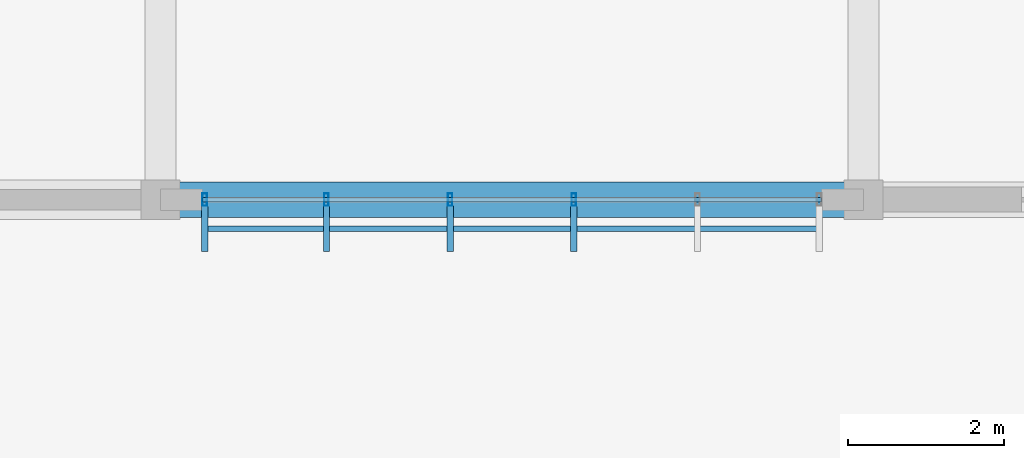
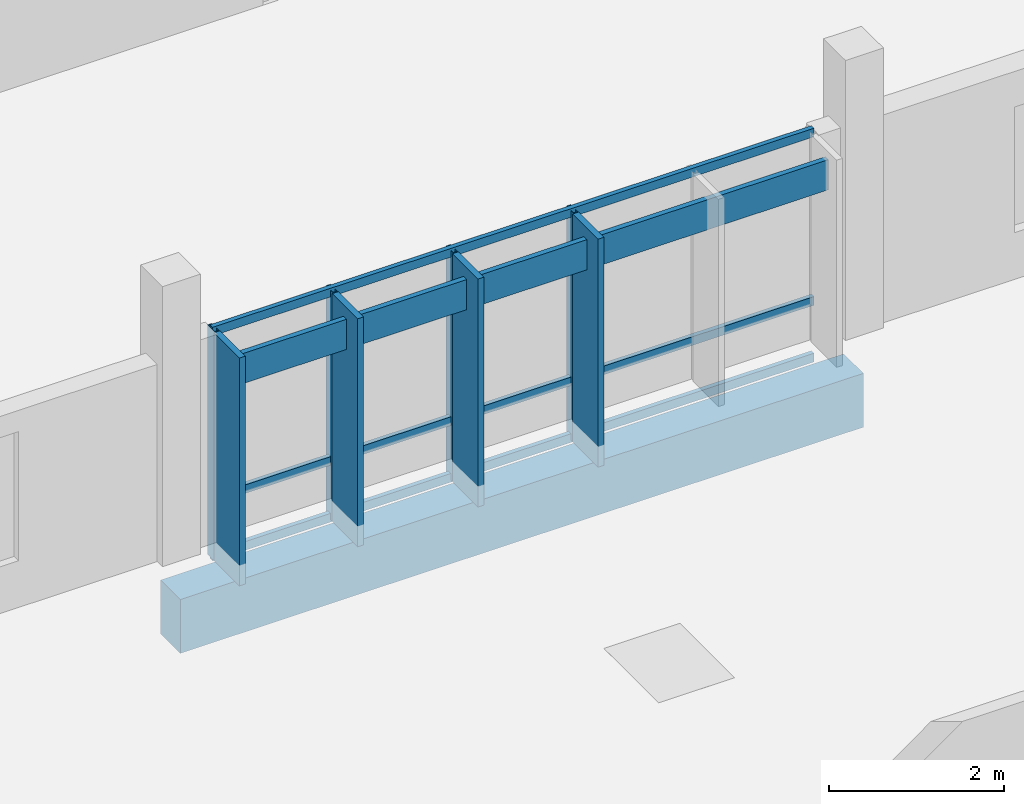
# One storey, part 45 of 107: 12 members, 1 beam, 1 element without a shape of its own.
"""IFC4 building model written with IfcOpenShell, lengths in metres."""

from ifc_helpers import new_model, si_unit, direction, frame, origin, origin_2d, place, context, subcontext, project, spatial, rectangle, hollow_rectangle, extrude, material, material_profile, profile_set, type_object, element, aggregate, save


model = new_model("IFC4")

# Units and contexts
model_context = context("Model", 3, precision=1e-05, world=origin(), true_north=direction((0.0, 1.0)))
body_context = subcontext(model_context, "Body", "Model", "MODEL_VIEW")
ifc_project = project(units=[si_unit("LENGTHUNIT", "METRE"), si_unit("AREAUNIT", "SQUARE_METRE"), si_unit("VOLUMEUNIT", "CUBIC_METRE"), si_unit("PLANEANGLEUNIT", "RADIAN"), si_unit("MASSUNIT", "GRAM", prefix="KILO")], contexts=[model_context])

# Site, building, storey
site_placement = place(None, origin())
site = spatial("IfcSite", under=ifc_project, at=site_placement, CompositionType="ELEMENT")
building_placement = place(site_placement, origin())
building = spatial("IfcBuilding", under=site, at=building_placement, Name="Chiffa Square Polytechnic", CompositionType="ELEMENT")
storey_placement = place(building_placement, frame((0.0, 0.0, 13.800048828125)))
storey = spatial("IfcBuildingStorey", under=building, at=storey_placement, Name="L03", CompositionType="ELEMENT", Elevation=13.800048828125)

# Beam
ifc_material_1 = material(Name="Concrete C35/45", Category="concrete")
ifc_material_profile_1 = material_profile(ifc_material_1, rectangle(XDim=0.449951171875, YDim=0.75, at=origin_2d()), Name="RC 450x750")
ifc_profile_set_1 = profile_set([ifc_material_profile_1], Name="Concrete C35/45")
beam_type = type_object("IfcBeamType", Name="BM-RC-450X750", PredefinedType="BEAM", material=ifc_profile_set_1)
beam_placement = place(storey_placement, frame((121.199951171875, 103.800048828125, -0.635009765625), z_axis=(1.0, 0.0, 0.0), x_axis=(0.0, 1.0, 0.0)))
element("IfcBeam", 1, at=beam_placement, inside=storey, type_object=beam_type, Name="Primary floor girder BM-V5-L03-X-1212-1038", PredefinedType="BEAM", context=body_context, shape_type="SweptSolid", body=[
    extrude(rectangle(XDim=0.449951171875, YDim=0.75, at=origin_2d()), origin(), (0.0, 0.0, 1.0), 9.0),
])

# Curtain wall, members
ifc_material_2 = material(Name="Aluminium EN AW-6060 T66 and glulam shading", Category="wood")
curtain_wall_type = type_object("IfcCurtainWallType", Name="CW-VERT-600X380", PredefinedType="USERDEFINED", material=ifc_material_2)
curtain_wall_placement = place(storey_placement, origin())
curtain_wall = element("IfcCurtainWall", 2, at=curtain_wall_placement, inside=storey, type_object=curtain_wall_type, Name="Curtain wall CW-V5-L03-228", ObjectType="CURTAIN WALL", PredefinedType="USERDEFINED")
ifc_material_3 = material(Name="Aluminium EN AW-6060 T66", Category="aluminium")
ifc_material_profile_2 = material_profile(ifc_material_3, hollow_rectangle(XDim=0.06005859375, YDim=0.159912109375, WallThickness=0.00390625, at=origin_2d()), Name="ALU 60x160x4")
ifc_profile_set_2 = profile_set([ifc_material_profile_2], Name="Aluminium EN AW-6060 T66")
member_type_1 = type_object("IfcMemberType", Name="CWM-ALU-65X150", PredefinedType="MULLION", material=ifc_profile_set_2)
member_1_placement = place(storey_placement, frame((121.764892578125, 103.800048828125, 0.0), z_axis=(0.0, 0.0, 1.0), x_axis=(1.0, 0.0, 0.0)))
member_1 = element("IfcMember", 3, at=member_1_placement, type_object=member_type_1, Name="Curtain wall mullion CW-V5-L03-228-M00", PredefinedType="MULLION", context=body_context, shape_type="SweptSolid", body=[
    extrude(hollow_rectangle(XDim=0.06005859375, YDim=0.159912109375, WallThickness=0.00390625, at=origin_2d()), origin(), (0.0, 0.0, 1.0), 3.195068359375),
])
member_2_placement = place(storey_placement, frame((123.323974609375, 103.800048828125, 0.0), z_axis=(0.0, 0.0, 1.0), x_axis=(1.0, 0.0, 0.0)))
member_2 = element("IfcMember", 4, at=member_2_placement, type_object=member_type_1, Name="Curtain wall mullion CW-V5-L03-228-M01", PredefinedType="MULLION", context=body_context, shape_type="SweptSolid", body=[
    extrude(hollow_rectangle(XDim=0.06005859375, YDim=0.159912109375, WallThickness=0.00390625, at=origin_2d()), origin(), (0.0, 0.0, 1.0), 3.195068359375),
])
member_3_placement = place(storey_placement, frame((124.907958984375, 103.800048828125, 0.0), z_axis=(0.0, 0.0, 1.0), x_axis=(1.0, 0.0, 0.0)))
member_3 = element("IfcMember", 5, at=member_3_placement, type_object=member_type_1, Name="Curtain wall mullion CW-V5-L03-228-M02", PredefinedType="MULLION", context=body_context, shape_type="SweptSolid", body=[
    extrude(hollow_rectangle(XDim=0.06005859375, YDim=0.159912109375, WallThickness=0.00390625, at=origin_2d()), origin(), (0.0, 0.0, 1.0), 3.195068359375),
])
member_4_placement = place(storey_placement, frame((126.491943359375, 103.800048828125, 0.0), z_axis=(0.0, 0.0, 1.0), x_axis=(1.0, 0.0, 0.0)))
member_4 = element("IfcMember", 6, at=member_4_placement, type_object=member_type_1, Name="Curtain wall mullion CW-V5-L03-228-M03", PredefinedType="MULLION", context=body_context, shape_type="SweptSolid", body=[
    extrude(hollow_rectangle(XDim=0.06005859375, YDim=0.159912109375, WallThickness=0.00390625, at=origin_2d()), origin(), (0.0, 0.0, 1.0), 3.195068359375),
])
ifc_material_4 = material(Name="Glulam GL28h", Category="wood")
ifc_material_profile_3 = material_profile(ifc_material_4, rectangle(XDim=0.080078125, YDim=0.580078125, at=origin_2d()), Name="GL28h 80x580")
ifc_profile_set_3 = profile_set([ifc_material_profile_3], Name="Glulam GL28h")
member_type_2 = type_object("IfcMemberType", Name="CWM-GL-80X580", PredefinedType="MULLION", material=ifc_profile_set_3)
member_5_placement = place(storey_placement, frame((121.764892578125, 103.427978515625, 0.010009765625), z_axis=(0.0, 0.0, 1.0), x_axis=(1.0, 0.0, 0.0)))
member_5 = element("IfcMember", 7, at=member_5_placement, type_object=member_type_2, Name="Exterior glulam solar fin CW-V5-L03-228-FN00", PredefinedType="MULLION", context=body_context, shape_type="SweptSolid", body=[
    extrude(rectangle(XDim=0.080078125, YDim=0.580078125, at=origin_2d()), origin(), (0.0, 0.0, 1.0), 3.175048828125),
])
member_6_placement = place(storey_placement, frame((123.323974609375, 103.427978515625, 0.010009765625), z_axis=(0.0, 0.0, 1.0), x_axis=(1.0, 0.0, 0.0)))
member_6 = element("IfcMember", 8, at=member_6_placement, type_object=member_type_2, Name="Exterior glulam solar fin CW-V5-L03-228-FN01", PredefinedType="MULLION", context=body_context, shape_type="SweptSolid", body=[
    extrude(rectangle(XDim=0.080078125, YDim=0.580078125, at=origin_2d()), origin(), (0.0, 0.0, 1.0), 3.175048828125),
])
member_7_placement = place(storey_placement, frame((124.907958984375, 103.427978515625, 0.010009765625), z_axis=(0.0, 0.0, 1.0), x_axis=(1.0, 0.0, 0.0)))
member_7 = element("IfcMember", 9, at=member_7_placement, type_object=member_type_2, Name="Exterior glulam solar fin CW-V5-L03-228-FN02", PredefinedType="MULLION", context=body_context, shape_type="SweptSolid", body=[
    extrude(rectangle(XDim=0.080078125, YDim=0.580078125, at=origin_2d()), origin(), (0.0, 0.0, 1.0), 3.175048828125),
])
member_8_placement = place(storey_placement, frame((126.491943359375, 103.427978515625, 0.010009765625), z_axis=(0.0, 0.0, 1.0), x_axis=(1.0, 0.0, 0.0)))
member_8 = element("IfcMember", 10, at=member_8_placement, type_object=member_type_2, Name="Exterior glulam solar fin CW-V5-L03-228-FN03", PredefinedType="MULLION", context=body_context, shape_type="SweptSolid", body=[
    extrude(rectangle(XDim=0.080078125, YDim=0.580078125, at=origin_2d()), origin(), (0.0, 0.0, 1.0), 3.175048828125),
])
ifc_material_profile_4 = material_profile(ifc_material_3, hollow_rectangle(XDim=0.06005859375, YDim=0.1201171875, WallThickness=0.00390625, at=origin_2d()), Name="ALU 60x120x4")
ifc_profile_set_4 = profile_set([ifc_material_profile_4], Name="Aluminium EN AW-6060 T66")
member_type_3 = type_object("IfcMemberType", Name="CWT-ALU-65X120", PredefinedType="USERDEFINED", material=ifc_profile_set_4)
member_9_placement = place(storey_placement, frame((121.738037109375, 103.800048828125, 0.030029296875), z_axis=(1.0, 0.0, 0.0), x_axis=(0.0, 1.0, 0.0)))
member_9 = element("IfcMember", 11, at=member_9_placement, type_object=member_type_3, Name="Curtain wall transom CW-V5-L03-228-T01", ObjectType="TRANSOM", PredefinedType="USERDEFINED", context=body_context, shape_type="SweptSolid", body=[
    extrude(hollow_rectangle(XDim=0.06005859375, YDim=0.1201171875, WallThickness=0.00390625, at=origin_2d()), origin(), (0.0, 0.0, 1.0), 7.924072265625),
])
member_10_placement = place(storey_placement, frame((121.738037109375, 103.800048828125, 0.820068359375), z_axis=(1.0, 0.0, 0.0), x_axis=(0.0, 1.0, 0.0)))
member_10 = element("IfcMember", 12, at=member_10_placement, type_object=member_type_3, Name="Curtain wall transom CW-V5-L03-228-T02", ObjectType="TRANSOM", PredefinedType="USERDEFINED", context=body_context, shape_type="SweptSolid", body=[
    extrude(hollow_rectangle(XDim=0.06005859375, YDim=0.1201171875, WallThickness=0.00390625, at=origin_2d()), origin(), (0.0, 0.0, 1.0), 7.924072265625),
])
member_11_placement = place(storey_placement, frame((121.738037109375, 103.800048828125, 3.1650390625), z_axis=(1.0, 0.0, 0.0), x_axis=(0.0, 1.0, 0.0)))
member_11 = element("IfcMember", 13, at=member_11_placement, type_object=member_type_3, Name="Curtain wall transom CW-V5-L03-228-T03", ObjectType="TRANSOM", PredefinedType="USERDEFINED", context=body_context, shape_type="SweptSolid", body=[
    extrude(hollow_rectangle(XDim=0.06005859375, YDim=0.1201171875, WallThickness=0.00390625, at=origin_2d()), origin(), (0.0, 0.0, 1.0), 7.924072265625),
])
ifc_material_profile_5 = material_profile(ifc_material_4, rectangle(XDim=0.070068359375, YDim=0.419921875, at=origin_2d()), Name="GL28h 70x420")
ifc_profile_set_5 = profile_set([ifc_material_profile_5], Name="Glulam GL28h")
member_type_4 = type_object("IfcMemberType", Name="CWT-GL-70X420", PredefinedType="USERDEFINED", material=ifc_profile_set_5)
member_12_placement = place(storey_placement, frame((121.764892578125, 103.427978515625, 2.81494140625), z_axis=(1.0, 0.0, 0.0), x_axis=(0.0, 1.0, 0.0)))
member_12 = element("IfcMember", 14, at=member_12_placement, type_object=member_type_4, Name="Exterior glulam brise-soleil CW-V5-L03-228-BS01", ObjectType="TRANSOM", PredefinedType="USERDEFINED", context=body_context, shape_type="SweptSolid", body=[
    extrude(rectangle(XDim=0.070068359375, YDim=0.419921875, at=origin_2d()), origin(), (0.0, 0.0, 1.0), 7.8701171875),
])
aggregate(curtain_wall, [member_1, member_5, member_2, member_6, member_3, member_7, member_4, member_8, member_9, member_10, member_11, member_12])

save(model, "model.ifc")
